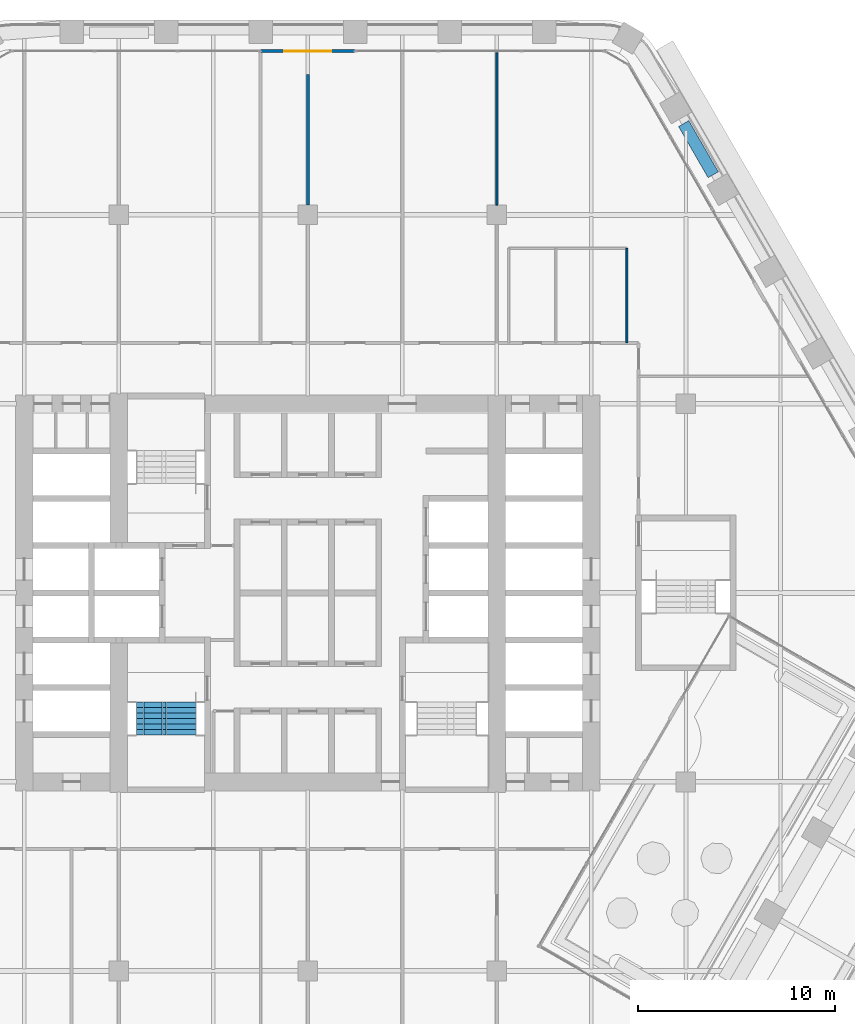
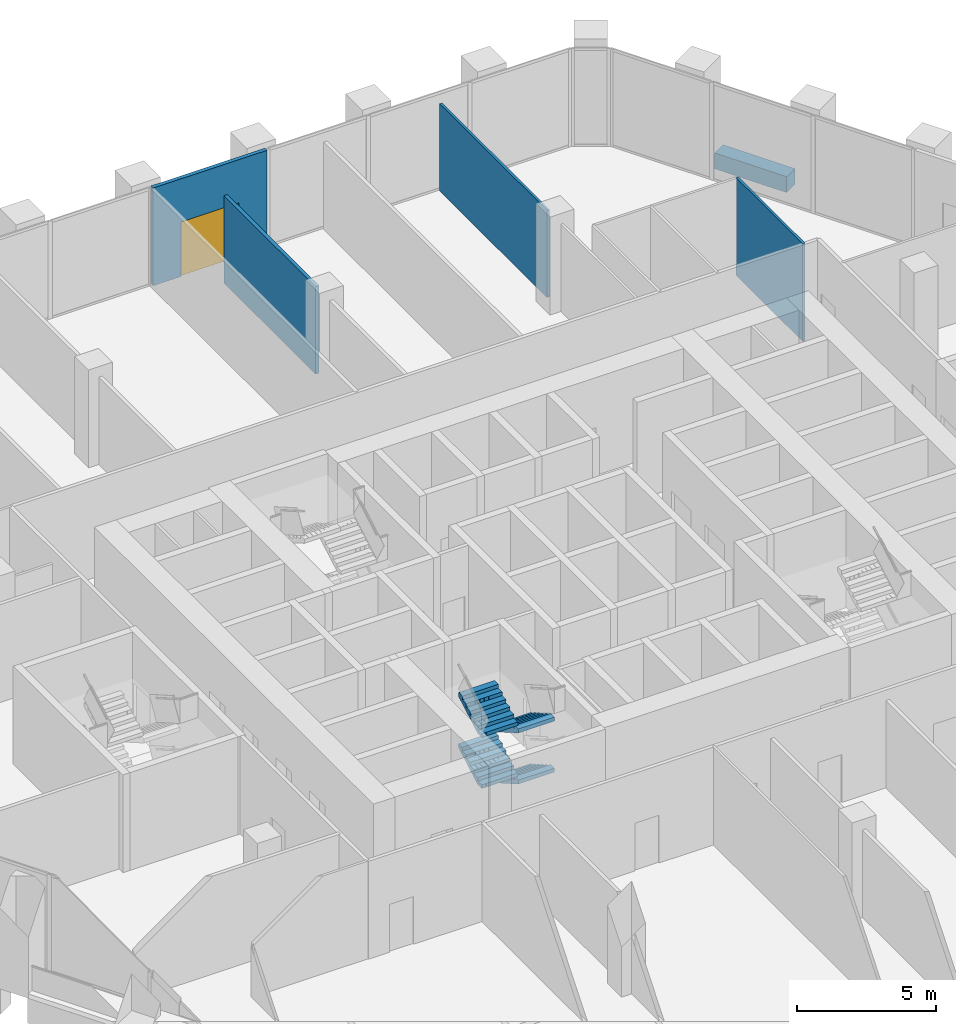
# One storey, part 18 of 25: 5 walls, 4 stair flights, 1 door, 1 opening, 1 element without a shape of its own.
"""IFC4 building model written with IfcOpenShell, lengths in metres."""

from ifc_helpers import new_model, si_unit, direction, frame, frame_2d, origin, place, context, subcontext, project, spatial, polyline, rectangle, outline, extrude, material, layer, layer_set, type_object, element, fill, aggregate, save


model = new_model("IFC4")

# Units and contexts
model_context = context("Model", 3, precision=1e-05, world=origin(), true_north=direction((0.0, 1.0)))
body_context = subcontext(model_context, "Body", "Model", "MODEL_VIEW")
ifc_project = project(units=[si_unit("LENGTHUNIT", "METRE"), si_unit("AREAUNIT", "SQUARE_METRE"), si_unit("VOLUMEUNIT", "CUBIC_METRE"), si_unit("PLANEANGLEUNIT", "RADIAN"), si_unit("MASSUNIT", "GRAM", prefix="KILO")], contexts=[model_context])

# Site, building, storey
site_placement = place(None, origin())
site = spatial("IfcSite", under=ifc_project, at=site_placement, CompositionType="ELEMENT")
building_placement = place(site_placement, origin())
building = spatial("IfcBuilding", under=site, at=building_placement, Name="Kolab Exchange Tower", CompositionType="ELEMENT")
storey_placement = place(building_placement, frame((0.0, 0.0, 91.39990234375)))
storey = spatial("IfcBuildingStorey", under=building, at=storey_placement, Name="L17", CompositionType="ELEMENT", Elevation=91.39990234375)

# Wall, opening, door
ifc_material_1 = material(Name="Aluminium EN AW-6063 T6", Category="aluminium")
ifc_layer_1 = layer(ifc_material_1, 0.159912109375)
ifc_layer_set_1 = layer_set([ifc_layer_1], Name="Aluminium EN AW-6063 T6")
wall_type_1 = type_object("IfcWallType", Name="DOOR SURROUND WALL 160 ALUMINIUM FRAMED", PredefinedType="PARTITIONING", material=ifc_layer_set_1)
wall_1_placement = place(storey_placement, frame((-2.3701171875, 27.5185546875, 0.0), z_axis=(0.0, 0.0, 1.0), x_axis=(1.0, 0.0, 0.0)))
wall_1 = element("IfcWall", 1, at=wall_1_placement, inside=storey, type_object=wall_type_1, Name="Door surround wall", PredefinedType="PARTITIONING", context=body_context, shape_type="SweptSolid", body=[
    extrude(rectangle(XDim=4.740234375, YDim=0.159912109375, at=frame_2d((2.3701171875, 0.0))), origin(), (0.0, 0.0, 1.0), 4.300048828125),
])
opening_placement = place(wall_1_placement, frame((1.169921875, 0.0, 0.0)))
opening = element("IfcOpeningElement", 2, at=opening_placement, cuts=wall_1, Name="Opening GD1-034", PredefinedType="OPENING", context=body_context, shape_type="SweptSolid", body=[
    extrude(rectangle(XDim=2.39990234375, YDim=2.39990234375, at=frame_2d((1.199951171875, 1.199951171875))), frame((0.0, 0.08984375, 0.0), z_axis=(0.0, -1.0, 0.0), x_axis=(1.0, 0.0, 0.0)), (0.0, 0.0, 1.0), 0.179931640625),
])
door_type = type_object("IfcDoorType", Name="LOGGIA SLIDING GLASS DOOR 2400 X 2400", OperationType="DOUBLE_DOOR_SINGLE_SWING", PredefinedType="DOOR", material=ifc_material_1)
door_placement = place(opening_placement, origin())
door = element("IfcDoor", 3, at=door_placement, inside=storey, type_object=door_type, Name="Loggia door", OperationType="DOUBLE_DOOR_SLIDING", OverallHeight=2.39990234375, OverallWidth=2.39990234375, PredefinedType="DOOR", context=body_context, shape_type="SweptSolid", body=[
    extrude(rectangle(XDim=2.39990234375, YDim=2.39990234375, at=frame_2d((1.199951171875, 1.199951171875))), frame((0.0, 0.02490234375, 0.0), z_axis=(0.0, -1.0, 0.0), x_axis=(1.0, 0.0, 0.0)), (0.0, 0.0, 1.0), 0.050048828125),
])
fill(opening, door)

# Walls
ifc_material_2 = material(Name="Gypsum board", Category="gypsum")
ifc_layer_2 = layer(ifc_material_2, 0.10009765625)
ifc_layer_set_2 = layer_set([ifc_layer_2], Name="Gypsum board")
wall_type_2 = type_object("IfcWallType", Name="PARTITION 100", PredefinedType="PARTITIONING", material=ifc_layer_set_2)
wall_2_placement = place(storey_placement, frame((16.199951171875, 12.699951171875, 0.0), z_axis=(0.0, 0.0, 1.0), x_axis=(0.0, 1.0, 0.0)))
element("IfcWall", 4, at=wall_2_placement, inside=storey, type_object=wall_type_2, Name="Partition 001", PredefinedType="PARTITIONING", context=body_context, shape_type="SweptSolid", body=[
    extrude(rectangle(XDim=4.800048828125, YDim=0.10009765625, at=frame_2d((2.39990234375, 0.0))), origin(), (0.0, 0.0, 1.0), 4.300048828125),
])
wall_3_placement = place(storey_placement, frame((9.60009765625, 19.699951171875, 0.0), z_axis=(0.0, 0.0, 1.0), x_axis=(0.0, 1.0, 0.0)))
element("IfcWall", 5, at=wall_3_placement, inside=storey, type_object=wall_type_2, Name="Partition 007", PredefinedType="PARTITIONING", context=body_context, shape_type="SweptSolid", body=[
    extrude(rectangle(XDim=7.728515625, YDim=0.10009765625, at=frame_2d((3.8642578125, 0.0))), origin(), (0.0, 0.0, 1.0), 3.843017578125),
])
ifc_layer_3 = layer(ifc_material_2, 0.14990234375)
ifc_layer_set_3 = layer_set([ifc_layer_3], Name="Gypsum board")
wall_type_3 = type_object("IfcWallType", Name="PARTITION 150 FIRE-RATED", PredefinedType="PARTITIONING", material=ifc_layer_set_3)
wall_4_placement = place(storey_placement, frame((0.0, 19.699951171875, 0.0), z_axis=(0.0, 0.0, 1.0), x_axis=(0.0, 1.0, 0.0)))
element("IfcWall", 6, at=wall_4_placement, inside=storey, type_object=wall_type_3, Name="Partition 015", PredefinedType="PARTITIONING", context=body_context, shape_type="SweptSolid", body=[
    extrude(rectangle(XDim=6.61865234375, YDim=0.14990234375, at=frame_2d((3.309326171875, 0.0))), origin(), (0.0, 0.0, 1.0), 3.843017578125),
])
ifc_material_3 = material(Name="Granite facing", Category="masonry")
ifc_layer_4 = layer(ifc_material_3, 0.0400390625)
ifc_material_4 = material(Name="Concrete C40/50 precast", Category="concrete")
ifc_layer_5 = layer(ifc_material_4, 0.56005859375)
ifc_layer_set_4 = layer_set([ifc_layer_4, ifc_layer_5], Name="Concrete C40/50 precast")
wall_type_4 = type_object("IfcWallType", Name="PLANTER BOX 600 X 700 SOIL DEPTH 550", PredefinedType="USERDEFINED", material=ifc_layer_set_4)
wall_5_placement = place(storey_placement, frame((19.087158203125, 23.837158203125, 0.0), z_axis=(0.0, 0.0, 1.0), x_axis=(0.499990139034, -0.866031096941, 0.0)))
element("IfcWall", 7, at=wall_5_placement, inside=storey, type_object=wall_type_4, Name="Planter", ObjectType="PLANTER", PredefinedType="USERDEFINED", context=body_context, shape_type="SweptSolid", body=[
    extrude(rectangle(XDim=3.0, YDim=0.60009765625, at=frame_2d((1.5, 0.0))), origin(), (0.0, 0.0, 1.0), 0.7001953125),
])

# Stair, stair flights
ifc_material_5 = material(Name="Concrete C50/60", Category="concrete")
stair_type = type_object("IfcStairType", Name="STAIR ST3 RISER 160.7", PredefinedType="DOUBLE_RETURN_STAIR", material=ifc_material_5)
stair_placement = place(storey_placement, origin())
stair = element("IfcStair", 8, at=stair_placement, inside=storey, type_object=stair_type, Name="Stair 3", PredefinedType="DOUBLE_RETURN_STAIR")
stair_flight_type = type_object("IfcStairFlightType", Name="STAIR FLIGHT 1500 RISER 160.7", PredefinedType="STRAIGHT", material=ifc_material_5)
stair_flight_1_placement = place(storey_placement, frame((-6.43994140625, -5.550048828125, 0.0), z_axis=(0.0, 0.0, 1.0), x_axis=(0.0, -1.0, 0.0)))
stair_flight_1 = element("IfcStairFlight", 9, at=stair_flight_1_placement, type_object=stair_flight_type, Name="ST3 flight 1", NumberOfRisers=7, NumberOfTreads=6, PredefinedType="STRAIGHT", RiserHeight=0.160714286, TreadLength=0.28, context=body_context, shape_type="SweptSolid", body=[
    extrude(outline(polyline([(0.0, 0.0), (0.0, 0.16064453125), (0.280029296875, 0.16064453125), (0.280029296875, 0.321533203125), (0.56005859375, 0.321533203125), (0.56005859375, 0.482177734375), (0.840087890625, 0.482177734375), (0.840087890625, 0.642822265625), (1.1201171875, 0.642822265625), (1.1201171875, 0.803466796875), (1.39990234375, 0.803466796875), (1.39990234375, 0.96435546875), (1.679931640625, 0.96435546875), (1.679931640625, 1.125), (1.679931640625, 0.79150390625), (0.301025390625, 0.0), (0.0, 0.0)])), frame((0.0, 0.75, 0.0), z_axis=(0.0, -1.0, 0.0), x_axis=(1.0, 0.0, 0.0)), (0.0, 0.0, 1.0), 0.185791015625),
    extrude(outline(polyline([(0.0, 0.0), (0.0, 0.16064453125), (0.280029296875, 0.16064453125), (0.280029296875, 0.321533203125), (0.56005859375, 0.321533203125), (0.56005859375, 0.482177734375), (0.840087890625, 0.482177734375), (0.840087890625, 0.642822265625), (1.1201171875, 0.642822265625), (1.1201171875, 0.803466796875), (1.39990234375, 0.803466796875), (1.39990234375, 0.96435546875), (1.679931640625, 0.96435546875), (1.679931640625, 1.125), (1.679931640625, 0.79150390625), (0.301025390625, 0.0), (0.0, 0.0)])), frame((0.0, 0.562255859375, 0.0), z_axis=(0.0, -1.0, 0.0), x_axis=(1.0, 0.0, 0.0)), (0.0, 0.0, 1.0), 0.185791015625),
    extrude(outline(polyline([(0.0, 0.0), (0.0, 0.16064453125), (0.280029296875, 0.16064453125), (0.280029296875, 0.321533203125), (0.56005859375, 0.321533203125), (0.56005859375, 0.482177734375), (0.840087890625, 0.482177734375), (0.840087890625, 0.642822265625), (1.1201171875, 0.642822265625), (1.1201171875, 0.803466796875), (1.39990234375, 0.803466796875), (1.39990234375, 0.96435546875), (1.679931640625, 0.96435546875), (1.679931640625, 1.125), (1.679931640625, 0.79150390625), (0.301025390625, 0.0), (0.0, 0.0)])), frame((0.0, 0.37451171875, 0.0), z_axis=(0.0, -1.0, 0.0), x_axis=(1.0, 0.0, 0.0)), (0.0, 0.0, 1.0), 0.185791015625),
    extrude(outline(polyline([(0.0, 0.0), (0.0, 0.16064453125), (0.280029296875, 0.16064453125), (0.280029296875, 0.321533203125), (0.56005859375, 0.321533203125), (0.56005859375, 0.482177734375), (0.840087890625, 0.482177734375), (0.840087890625, 0.642822265625), (1.1201171875, 0.642822265625), (1.1201171875, 0.803466796875), (1.39990234375, 0.803466796875), (1.39990234375, 0.96435546875), (1.679931640625, 0.96435546875), (1.679931640625, 1.125), (1.679931640625, 0.79150390625), (0.301025390625, 0.0), (0.0, 0.0)])), frame((0.0, 0.186767578125, 0.0), z_axis=(0.0, -1.0, 0.0), x_axis=(1.0, 0.0, 0.0)), (0.0, 0.0, 1.0), 0.185791015625),
    extrude(outline(polyline([(0.0, 0.0), (0.0, 0.16064453125), (0.280029296875, 0.16064453125), (0.280029296875, 0.321533203125), (0.56005859375, 0.321533203125), (0.56005859375, 0.482177734375), (0.840087890625, 0.482177734375), (0.840087890625, 0.642822265625), (1.1201171875, 0.642822265625), (1.1201171875, 0.803466796875), (1.39990234375, 0.803466796875), (1.39990234375, 0.96435546875), (1.679931640625, 0.96435546875), (1.679931640625, 1.125), (1.679931640625, 0.79150390625), (0.301025390625, 0.0), (0.0, 0.0)])), frame((0.0, -0.0009765625, 0.0), z_axis=(0.0, -1.0, 0.0), x_axis=(1.0, 0.0, 0.0)), (0.0, 0.0, 1.0), 0.185791015625),
    extrude(outline(polyline([(0.0, 0.0), (0.0, 0.16064453125), (0.280029296875, 0.16064453125), (0.280029296875, 0.321533203125), (0.56005859375, 0.321533203125), (0.56005859375, 0.482177734375), (0.840087890625, 0.482177734375), (0.840087890625, 0.642822265625), (1.1201171875, 0.642822265625), (1.1201171875, 0.803466796875), (1.39990234375, 0.803466796875), (1.39990234375, 0.96435546875), (1.679931640625, 0.96435546875), (1.679931640625, 1.125), (1.679931640625, 0.79150390625), (0.301025390625, 0.0), (0.0, 0.0)])), frame((0.0, -0.188720703125, 0.0), z_axis=(0.0, -1.0, 0.0), x_axis=(1.0, 0.0, 0.0)), (0.0, 0.0, 1.0), 0.185791015625),
    extrude(outline(polyline([(0.0, 0.0), (0.0, 0.16064453125), (0.280029296875, 0.16064453125), (0.280029296875, 0.321533203125), (0.56005859375, 0.321533203125), (0.56005859375, 0.482177734375), (0.840087890625, 0.482177734375), (0.840087890625, 0.642822265625), (1.1201171875, 0.642822265625), (1.1201171875, 0.803466796875), (1.39990234375, 0.803466796875), (1.39990234375, 0.96435546875), (1.679931640625, 0.96435546875), (1.679931640625, 1.125), (1.679931640625, 0.79150390625), (0.301025390625, 0.0), (0.0, 0.0)])), frame((0.0, -0.37646484375, 0.0), z_axis=(0.0, -1.0, 0.0), x_axis=(1.0, 0.0, 0.0)), (0.0, 0.0, 1.0), 0.185791015625),
    extrude(outline(polyline([(0.0, 0.0), (0.0, 0.16064453125), (0.280029296875, 0.16064453125), (0.280029296875, 0.321533203125), (0.56005859375, 0.321533203125), (0.56005859375, 0.482177734375), (0.840087890625, 0.482177734375), (0.840087890625, 0.642822265625), (1.1201171875, 0.642822265625), (1.1201171875, 0.803466796875), (1.39990234375, 0.803466796875), (1.39990234375, 0.96435546875), (1.679931640625, 0.96435546875), (1.679931640625, 1.125), (1.679931640625, 0.79150390625), (0.301025390625, 0.0), (0.0, 0.0)])), frame((0.0, -0.564208984375, 0.0), z_axis=(0.0, -1.0, 0.0), x_axis=(1.0, 0.0, 0.0)), (0.0, 0.0, 1.0), 0.185791015625),
])
stair_flight_2_placement = place(storey_placement, frame((-7.9599609375, -7.22998046875, 1.125), z_axis=(0.0, 0.0, 1.0), x_axis=(0.0, 1.0, 0.0)))
stair_flight_2 = element("IfcStairFlight", 10, at=stair_flight_2_placement, type_object=stair_flight_type, Name="ST3 flight 2", NumberOfRisers=7, NumberOfTreads=6, PredefinedType="STRAIGHT", RiserHeight=0.160714286, TreadLength=0.28, context=body_context, shape_type="SweptSolid", body=[
    extrude(outline(polyline([(0.0, 0.0), (0.0, 0.16064453125), (0.280029296875, 0.16064453125), (0.280029296875, 0.321533203125), (0.56005859375, 0.321533203125), (0.56005859375, 0.482177734375), (0.840087890625, 0.482177734375), (0.840087890625, 0.642822265625), (1.1201171875, 0.642822265625), (1.1201171875, 0.803466796875), (1.39990234375, 0.803466796875), (1.39990234375, 0.96435546875), (1.679931640625, 0.96435546875), (1.679931640625, 1.125), (1.679931640625, 0.79150390625), (0.301025390625, 0.0), (0.0, 0.0)])), frame((0.0, 0.75, 0.0), z_axis=(0.0, -1.0, 0.0), x_axis=(1.0, 0.0, 0.0)), (0.0, 0.0, 1.0), 0.185791015625),
    extrude(outline(polyline([(0.0, 0.0), (0.0, 0.16064453125), (0.280029296875, 0.16064453125), (0.280029296875, 0.321533203125), (0.56005859375, 0.321533203125), (0.56005859375, 0.482177734375), (0.840087890625, 0.482177734375), (0.840087890625, 0.642822265625), (1.1201171875, 0.642822265625), (1.1201171875, 0.803466796875), (1.39990234375, 0.803466796875), (1.39990234375, 0.96435546875), (1.679931640625, 0.96435546875), (1.679931640625, 1.125), (1.679931640625, 0.79150390625), (0.301025390625, 0.0), (0.0, 0.0)])), frame((0.0, 0.562255859375, 0.0), z_axis=(0.0, -1.0, 0.0), x_axis=(1.0, 0.0, 0.0)), (0.0, 0.0, 1.0), 0.185791015625),
    extrude(outline(polyline([(0.0, 0.0), (0.0, 0.16064453125), (0.280029296875, 0.16064453125), (0.280029296875, 0.321533203125), (0.56005859375, 0.321533203125), (0.56005859375, 0.482177734375), (0.840087890625, 0.482177734375), (0.840087890625, 0.642822265625), (1.1201171875, 0.642822265625), (1.1201171875, 0.803466796875), (1.39990234375, 0.803466796875), (1.39990234375, 0.96435546875), (1.679931640625, 0.96435546875), (1.679931640625, 1.125), (1.679931640625, 0.79150390625), (0.301025390625, 0.0), (0.0, 0.0)])), frame((0.0, 0.37451171875, 0.0), z_axis=(0.0, -1.0, 0.0), x_axis=(1.0, 0.0, 0.0)), (0.0, 0.0, 1.0), 0.185791015625),
    extrude(outline(polyline([(0.0, 0.0), (0.0, 0.16064453125), (0.280029296875, 0.16064453125), (0.280029296875, 0.321533203125), (0.56005859375, 0.321533203125), (0.56005859375, 0.482177734375), (0.840087890625, 0.482177734375), (0.840087890625, 0.642822265625), (1.1201171875, 0.642822265625), (1.1201171875, 0.803466796875), (1.39990234375, 0.803466796875), (1.39990234375, 0.96435546875), (1.679931640625, 0.96435546875), (1.679931640625, 1.125), (1.679931640625, 0.79150390625), (0.301025390625, 0.0), (0.0, 0.0)])), frame((0.0, 0.186767578125, 0.0), z_axis=(0.0, -1.0, 0.0), x_axis=(1.0, 0.0, 0.0)), (0.0, 0.0, 1.0), 0.185791015625),
    extrude(outline(polyline([(0.0, 0.0), (0.0, 0.16064453125), (0.280029296875, 0.16064453125), (0.280029296875, 0.321533203125), (0.56005859375, 0.321533203125), (0.56005859375, 0.482177734375), (0.840087890625, 0.482177734375), (0.840087890625, 0.642822265625), (1.1201171875, 0.642822265625), (1.1201171875, 0.803466796875), (1.39990234375, 0.803466796875), (1.39990234375, 0.96435546875), (1.679931640625, 0.96435546875), (1.679931640625, 1.125), (1.679931640625, 0.79150390625), (0.301025390625, 0.0), (0.0, 0.0)])), frame((0.0, -0.0009765625, 0.0), z_axis=(0.0, -1.0, 0.0), x_axis=(1.0, 0.0, 0.0)), (0.0, 0.0, 1.0), 0.185791015625),
    extrude(outline(polyline([(0.0, 0.0), (0.0, 0.16064453125), (0.280029296875, 0.16064453125), (0.280029296875, 0.321533203125), (0.56005859375, 0.321533203125), (0.56005859375, 0.482177734375), (0.840087890625, 0.482177734375), (0.840087890625, 0.642822265625), (1.1201171875, 0.642822265625), (1.1201171875, 0.803466796875), (1.39990234375, 0.803466796875), (1.39990234375, 0.96435546875), (1.679931640625, 0.96435546875), (1.679931640625, 1.125), (1.679931640625, 0.79150390625), (0.301025390625, 0.0), (0.0, 0.0)])), frame((0.0, -0.188720703125, 0.0), z_axis=(0.0, -1.0, 0.0), x_axis=(1.0, 0.0, 0.0)), (0.0, 0.0, 1.0), 0.185791015625),
    extrude(outline(polyline([(0.0, 0.0), (0.0, 0.16064453125), (0.280029296875, 0.16064453125), (0.280029296875, 0.321533203125), (0.56005859375, 0.321533203125), (0.56005859375, 0.482177734375), (0.840087890625, 0.482177734375), (0.840087890625, 0.642822265625), (1.1201171875, 0.642822265625), (1.1201171875, 0.803466796875), (1.39990234375, 0.803466796875), (1.39990234375, 0.96435546875), (1.679931640625, 0.96435546875), (1.679931640625, 1.125), (1.679931640625, 0.79150390625), (0.301025390625, 0.0), (0.0, 0.0)])), frame((0.0, -0.37646484375, 0.0), z_axis=(0.0, -1.0, 0.0), x_axis=(1.0, 0.0, 0.0)), (0.0, 0.0, 1.0), 0.185791015625),
    extrude(outline(polyline([(0.0, 0.0), (0.0, 0.16064453125), (0.280029296875, 0.16064453125), (0.280029296875, 0.321533203125), (0.56005859375, 0.321533203125), (0.56005859375, 0.482177734375), (0.840087890625, 0.482177734375), (0.840087890625, 0.642822265625), (1.1201171875, 0.642822265625), (1.1201171875, 0.803466796875), (1.39990234375, 0.803466796875), (1.39990234375, 0.96435546875), (1.679931640625, 0.96435546875), (1.679931640625, 1.125), (1.679931640625, 0.79150390625), (0.301025390625, 0.0), (0.0, 0.0)])), frame((0.0, -0.564208984375, 0.0), z_axis=(0.0, -1.0, 0.0), x_axis=(1.0, 0.0, 0.0)), (0.0, 0.0, 1.0), 0.185791015625),
])
stair_flight_3_placement = place(storey_placement, frame((-6.43994140625, -5.550048828125, 2.25), z_axis=(0.0, 0.0, 1.0), x_axis=(0.0, -1.0, 0.0)))
stair_flight_3 = element("IfcStairFlight", 11, at=stair_flight_3_placement, type_object=stair_flight_type, Name="ST3 flight 3", NumberOfRisers=7, NumberOfTreads=6, PredefinedType="STRAIGHT", RiserHeight=0.160714286, TreadLength=0.28, context=body_context, shape_type="SweptSolid", body=[
    extrude(outline(polyline([(0.0, 0.0), (0.0, 0.16064453125), (0.280029296875, 0.16064453125), (0.280029296875, 0.321533203125), (0.56005859375, 0.321533203125), (0.56005859375, 0.482177734375), (0.840087890625, 0.482177734375), (0.840087890625, 0.642822265625), (1.1201171875, 0.642822265625), (1.1201171875, 0.803466796875), (1.39990234375, 0.803466796875), (1.39990234375, 0.96435546875), (1.679931640625, 0.96435546875), (1.679931640625, 1.125), (1.679931640625, 0.79150390625), (0.301025390625, 0.0), (0.0, 0.0)])), frame((0.0, 0.75, 0.0), z_axis=(0.0, -1.0, 0.0), x_axis=(1.0, 0.0, 0.0)), (0.0, 0.0, 1.0), 0.185791015625),
    extrude(outline(polyline([(0.0, 0.0), (0.0, 0.16064453125), (0.280029296875, 0.16064453125), (0.280029296875, 0.321533203125), (0.56005859375, 0.321533203125), (0.56005859375, 0.482177734375), (0.840087890625, 0.482177734375), (0.840087890625, 0.642822265625), (1.1201171875, 0.642822265625), (1.1201171875, 0.803466796875), (1.39990234375, 0.803466796875), (1.39990234375, 0.96435546875), (1.679931640625, 0.96435546875), (1.679931640625, 1.125), (1.679931640625, 0.79150390625), (0.301025390625, 0.0), (0.0, 0.0)])), frame((0.0, 0.562255859375, 0.0), z_axis=(0.0, -1.0, 0.0), x_axis=(1.0, 0.0, 0.0)), (0.0, 0.0, 1.0), 0.185791015625),
    extrude(outline(polyline([(0.0, 0.0), (0.0, 0.16064453125), (0.280029296875, 0.16064453125), (0.280029296875, 0.321533203125), (0.56005859375, 0.321533203125), (0.56005859375, 0.482177734375), (0.840087890625, 0.482177734375), (0.840087890625, 0.642822265625), (1.1201171875, 0.642822265625), (1.1201171875, 0.803466796875), (1.39990234375, 0.803466796875), (1.39990234375, 0.96435546875), (1.679931640625, 0.96435546875), (1.679931640625, 1.125), (1.679931640625, 0.79150390625), (0.301025390625, 0.0), (0.0, 0.0)])), frame((0.0, 0.37451171875, 0.0), z_axis=(0.0, -1.0, 0.0), x_axis=(1.0, 0.0, 0.0)), (0.0, 0.0, 1.0), 0.185791015625),
    extrude(outline(polyline([(0.0, 0.0), (0.0, 0.16064453125), (0.280029296875, 0.16064453125), (0.280029296875, 0.321533203125), (0.56005859375, 0.321533203125), (0.56005859375, 0.482177734375), (0.840087890625, 0.482177734375), (0.840087890625, 0.642822265625), (1.1201171875, 0.642822265625), (1.1201171875, 0.803466796875), (1.39990234375, 0.803466796875), (1.39990234375, 0.96435546875), (1.679931640625, 0.96435546875), (1.679931640625, 1.125), (1.679931640625, 0.79150390625), (0.301025390625, 0.0), (0.0, 0.0)])), frame((0.0, 0.186767578125, 0.0), z_axis=(0.0, -1.0, 0.0), x_axis=(1.0, 0.0, 0.0)), (0.0, 0.0, 1.0), 0.185791015625),
    extrude(outline(polyline([(0.0, 0.0), (0.0, 0.16064453125), (0.280029296875, 0.16064453125), (0.280029296875, 0.321533203125), (0.56005859375, 0.321533203125), (0.56005859375, 0.482177734375), (0.840087890625, 0.482177734375), (0.840087890625, 0.642822265625), (1.1201171875, 0.642822265625), (1.1201171875, 0.803466796875), (1.39990234375, 0.803466796875), (1.39990234375, 0.96435546875), (1.679931640625, 0.96435546875), (1.679931640625, 1.125), (1.679931640625, 0.79150390625), (0.301025390625, 0.0), (0.0, 0.0)])), frame((0.0, -0.0009765625, 0.0), z_axis=(0.0, -1.0, 0.0), x_axis=(1.0, 0.0, 0.0)), (0.0, 0.0, 1.0), 0.185791015625),
    extrude(outline(polyline([(0.0, 0.0), (0.0, 0.16064453125), (0.280029296875, 0.16064453125), (0.280029296875, 0.321533203125), (0.56005859375, 0.321533203125), (0.56005859375, 0.482177734375), (0.840087890625, 0.482177734375), (0.840087890625, 0.642822265625), (1.1201171875, 0.642822265625), (1.1201171875, 0.803466796875), (1.39990234375, 0.803466796875), (1.39990234375, 0.96435546875), (1.679931640625, 0.96435546875), (1.679931640625, 1.125), (1.679931640625, 0.79150390625), (0.301025390625, 0.0), (0.0, 0.0)])), frame((0.0, -0.188720703125, 0.0), z_axis=(0.0, -1.0, 0.0), x_axis=(1.0, 0.0, 0.0)), (0.0, 0.0, 1.0), 0.185791015625),
    extrude(outline(polyline([(0.0, 0.0), (0.0, 0.16064453125), (0.280029296875, 0.16064453125), (0.280029296875, 0.321533203125), (0.56005859375, 0.321533203125), (0.56005859375, 0.482177734375), (0.840087890625, 0.482177734375), (0.840087890625, 0.642822265625), (1.1201171875, 0.642822265625), (1.1201171875, 0.803466796875), (1.39990234375, 0.803466796875), (1.39990234375, 0.96435546875), (1.679931640625, 0.96435546875), (1.679931640625, 1.125), (1.679931640625, 0.79150390625), (0.301025390625, 0.0), (0.0, 0.0)])), frame((0.0, -0.37646484375, 0.0), z_axis=(0.0, -1.0, 0.0), x_axis=(1.0, 0.0, 0.0)), (0.0, 0.0, 1.0), 0.185791015625),
    extrude(outline(polyline([(0.0, 0.0), (0.0, 0.16064453125), (0.280029296875, 0.16064453125), (0.280029296875, 0.321533203125), (0.56005859375, 0.321533203125), (0.56005859375, 0.482177734375), (0.840087890625, 0.482177734375), (0.840087890625, 0.642822265625), (1.1201171875, 0.642822265625), (1.1201171875, 0.803466796875), (1.39990234375, 0.803466796875), (1.39990234375, 0.96435546875), (1.679931640625, 0.96435546875), (1.679931640625, 1.125), (1.679931640625, 0.79150390625), (0.301025390625, 0.0), (0.0, 0.0)])), frame((0.0, -0.564208984375, 0.0), z_axis=(0.0, -1.0, 0.0), x_axis=(1.0, 0.0, 0.0)), (0.0, 0.0, 1.0), 0.185791015625),
])
stair_flight_4_placement = place(storey_placement, frame((-7.9599609375, -7.22998046875, 3.375), z_axis=(0.0, 0.0, 1.0), x_axis=(0.0, 1.0, 0.0)))
stair_flight_4 = element("IfcStairFlight", 12, at=stair_flight_4_placement, type_object=stair_flight_type, Name="ST3 flight 4", NumberOfRisers=7, NumberOfTreads=6, PredefinedType="STRAIGHT", RiserHeight=0.160714286, TreadLength=0.28, context=body_context, shape_type="SweptSolid", body=[
    extrude(outline(polyline([(0.0, 0.0), (0.0, 0.16064453125), (0.280029296875, 0.16064453125), (0.280029296875, 0.321533203125), (0.56005859375, 0.321533203125), (0.56005859375, 0.482177734375), (0.840087890625, 0.482177734375), (0.840087890625, 0.642822265625), (1.1201171875, 0.642822265625), (1.1201171875, 0.803466796875), (1.39990234375, 0.803466796875), (1.39990234375, 0.96435546875), (1.679931640625, 0.96435546875), (1.679931640625, 1.125), (1.679931640625, 0.79150390625), (0.301025390625, 0.0), (0.0, 0.0)])), frame((0.0, 0.75, 0.0), z_axis=(0.0, -1.0, 0.0), x_axis=(1.0, 0.0, 0.0)), (0.0, 0.0, 1.0), 0.185791015625),
    extrude(outline(polyline([(0.0, 0.0), (0.0, 0.16064453125), (0.280029296875, 0.16064453125), (0.280029296875, 0.321533203125), (0.56005859375, 0.321533203125), (0.56005859375, 0.482177734375), (0.840087890625, 0.482177734375), (0.840087890625, 0.642822265625), (1.1201171875, 0.642822265625), (1.1201171875, 0.803466796875), (1.39990234375, 0.803466796875), (1.39990234375, 0.96435546875), (1.679931640625, 0.96435546875), (1.679931640625, 1.125), (1.679931640625, 0.79150390625), (0.301025390625, 0.0), (0.0, 0.0)])), frame((0.0, 0.562255859375, 0.0), z_axis=(0.0, -1.0, 0.0), x_axis=(1.0, 0.0, 0.0)), (0.0, 0.0, 1.0), 0.185791015625),
    extrude(outline(polyline([(0.0, 0.0), (0.0, 0.16064453125), (0.280029296875, 0.16064453125), (0.280029296875, 0.321533203125), (0.56005859375, 0.321533203125), (0.56005859375, 0.482177734375), (0.840087890625, 0.482177734375), (0.840087890625, 0.642822265625), (1.1201171875, 0.642822265625), (1.1201171875, 0.803466796875), (1.39990234375, 0.803466796875), (1.39990234375, 0.96435546875), (1.679931640625, 0.96435546875), (1.679931640625, 1.125), (1.679931640625, 0.79150390625), (0.301025390625, 0.0), (0.0, 0.0)])), frame((0.0, 0.37451171875, 0.0), z_axis=(0.0, -1.0, 0.0), x_axis=(1.0, 0.0, 0.0)), (0.0, 0.0, 1.0), 0.185791015625),
    extrude(outline(polyline([(0.0, 0.0), (0.0, 0.16064453125), (0.280029296875, 0.16064453125), (0.280029296875, 0.321533203125), (0.56005859375, 0.321533203125), (0.56005859375, 0.482177734375), (0.840087890625, 0.482177734375), (0.840087890625, 0.642822265625), (1.1201171875, 0.642822265625), (1.1201171875, 0.803466796875), (1.39990234375, 0.803466796875), (1.39990234375, 0.96435546875), (1.679931640625, 0.96435546875), (1.679931640625, 1.125), (1.679931640625, 0.79150390625), (0.301025390625, 0.0), (0.0, 0.0)])), frame((0.0, 0.186767578125, 0.0), z_axis=(0.0, -1.0, 0.0), x_axis=(1.0, 0.0, 0.0)), (0.0, 0.0, 1.0), 0.185791015625),
    extrude(outline(polyline([(0.0, 0.0), (0.0, 0.16064453125), (0.280029296875, 0.16064453125), (0.280029296875, 0.321533203125), (0.56005859375, 0.321533203125), (0.56005859375, 0.482177734375), (0.840087890625, 0.482177734375), (0.840087890625, 0.642822265625), (1.1201171875, 0.642822265625), (1.1201171875, 0.803466796875), (1.39990234375, 0.803466796875), (1.39990234375, 0.96435546875), (1.679931640625, 0.96435546875), (1.679931640625, 1.125), (1.679931640625, 0.79150390625), (0.301025390625, 0.0), (0.0, 0.0)])), frame((0.0, -0.0009765625, 0.0), z_axis=(0.0, -1.0, 0.0), x_axis=(1.0, 0.0, 0.0)), (0.0, 0.0, 1.0), 0.185791015625),
    extrude(outline(polyline([(0.0, 0.0), (0.0, 0.16064453125), (0.280029296875, 0.16064453125), (0.280029296875, 0.321533203125), (0.56005859375, 0.321533203125), (0.56005859375, 0.482177734375), (0.840087890625, 0.482177734375), (0.840087890625, 0.642822265625), (1.1201171875, 0.642822265625), (1.1201171875, 0.803466796875), (1.39990234375, 0.803466796875), (1.39990234375, 0.96435546875), (1.679931640625, 0.96435546875), (1.679931640625, 1.125), (1.679931640625, 0.79150390625), (0.301025390625, 0.0), (0.0, 0.0)])), frame((0.0, -0.188720703125, 0.0), z_axis=(0.0, -1.0, 0.0), x_axis=(1.0, 0.0, 0.0)), (0.0, 0.0, 1.0), 0.185791015625),
    extrude(outline(polyline([(0.0, 0.0), (0.0, 0.16064453125), (0.280029296875, 0.16064453125), (0.280029296875, 0.321533203125), (0.56005859375, 0.321533203125), (0.56005859375, 0.482177734375), (0.840087890625, 0.482177734375), (0.840087890625, 0.642822265625), (1.1201171875, 0.642822265625), (1.1201171875, 0.803466796875), (1.39990234375, 0.803466796875), (1.39990234375, 0.96435546875), (1.679931640625, 0.96435546875), (1.679931640625, 1.125), (1.679931640625, 0.79150390625), (0.301025390625, 0.0), (0.0, 0.0)])), frame((0.0, -0.37646484375, 0.0), z_axis=(0.0, -1.0, 0.0), x_axis=(1.0, 0.0, 0.0)), (0.0, 0.0, 1.0), 0.185791015625),
    extrude(outline(polyline([(0.0, 0.0), (0.0, 0.16064453125), (0.280029296875, 0.16064453125), (0.280029296875, 0.321533203125), (0.56005859375, 0.321533203125), (0.56005859375, 0.482177734375), (0.840087890625, 0.482177734375), (0.840087890625, 0.642822265625), (1.1201171875, 0.642822265625), (1.1201171875, 0.803466796875), (1.39990234375, 0.803466796875), (1.39990234375, 0.96435546875), (1.679931640625, 0.96435546875), (1.679931640625, 1.125), (1.679931640625, 0.79150390625), (0.301025390625, 0.0), (0.0, 0.0)])), frame((0.0, -0.564208984375, 0.0), z_axis=(0.0, -1.0, 0.0), x_axis=(1.0, 0.0, 0.0)), (0.0, 0.0, 1.0), 0.185791015625),
])
aggregate(stair, [stair_flight_1, stair_flight_2, stair_flight_3, stair_flight_4])

save(model, "model.ifc")
